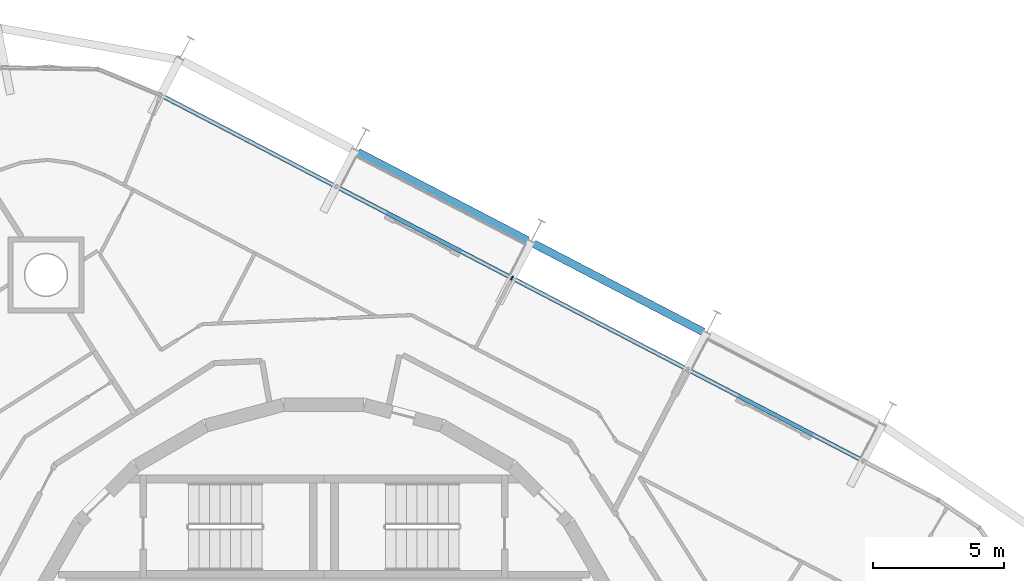
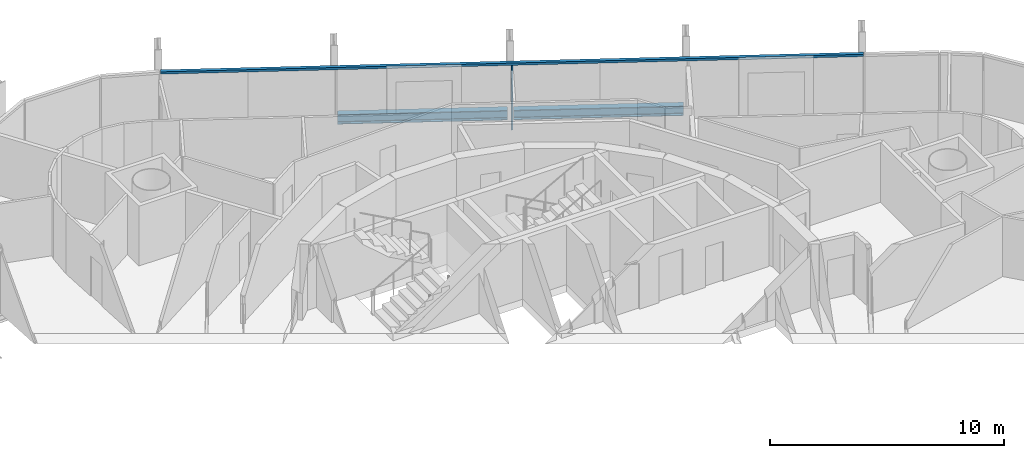
# One storey, part 7 of 18: 2 beams, 2 members, 1 element without a shape of its own.
"""IFC4 building model written with IfcOpenShell, lengths in metres."""

from ifc_helpers import new_model, si_unit, direction, frame, origin, origin_2d, place, context, subcontext, project, spatial, rectangle, i_section, extrude, material, layer, layer_set, material_profile, profile_set, type_object, element, aggregate, save


model = new_model("IFC4")

# Units and contexts
model_context = context("Model", 3, precision=1e-05, world=origin(), true_north=direction((0.0, 1.0)))
body_context = subcontext(model_context, "Body", "Model", "MODEL_VIEW")
ifc_project = project(units=[si_unit("LENGTHUNIT", "METRE"), si_unit("AREAUNIT", "SQUARE_METRE"), si_unit("VOLUMEUNIT", "CUBIC_METRE"), si_unit("PLANEANGLEUNIT", "RADIAN"), si_unit("MASSUNIT", "GRAM", prefix="KILO")], contexts=[model_context])

# Site, building, storey
site_placement = place(None, origin())
site = spatial("IfcSite", under=ifc_project, at=site_placement, CompositionType="ELEMENT")
building_placement = place(site_placement, origin())
building = spatial("IfcBuilding", under=site, at=building_placement, Name="Spindle Arch Residences", CompositionType="ELEMENT")
storey_placement = place(building_placement, frame((0.0, 0.0, 230.199951171875)))
storey = spatial("IfcBuildingStorey", under=building, at=storey_placement, Name="L58", CompositionType="ELEMENT", Elevation=230.199951171875)

# Curtain wall, members
ifc_material_1 = material(Name="Aluminium bronze unitised frame with tinted glass", Category="aluminium")
ifc_layer = layer(ifc_material_1, 0.159912109375)
ifc_layer_set = layer_set([ifc_layer], Name="CW-C typical residential unitised wall")
curtain_wall_type = type_object("IfcCurtainWallType", Name="CW-C typical residential unitised wall", PredefinedType="NOTDEFINED", material=ifc_layer_set)
curtain_wall_placement = place(storey_placement, origin())
curtain_wall = element("IfcCurtainWall", 1, at=curtain_wall_placement, inside=storey, type_object=curtain_wall_type, Name="CW-C L58 run 2", PredefinedType="NOTDEFINED")
ifc_material_2 = material(Name="Aluminium bronze anodised mullion", Category="aluminium")
ifc_material_profile_1 = material_profile(ifc_material_2, rectangle(XDim=0.159912109375, YDim=0.06005859375, at=origin_2d()), Name="MU 60x160")
ifc_profile_set_1 = profile_set([ifc_material_profile_1], Name="Aluminium bronze anodised mullion")
member_type_1 = type_object("IfcMemberType", Name="Bronze mullion 60x160", PredefinedType="MULLION", material=ifc_profile_set_1)
member_1_placement = place(storey_placement, frame((7.15869140625, 16.4697265625, -0.3798828125), z_axis=(0.0, 0.0, 1.0), x_axis=(-0.461748613235, -0.887010833178, 0.0)))
member_1 = element("IfcMember", 2, at=member_1_placement, type_object=member_type_1, Name="CW-C mullion 07", PredefinedType="MULLION", context=body_context, shape_type="SweptSolid", body=[
    extrude(rectangle(XDim=0.159912109375, YDim=0.06005859375, at=origin_2d()), origin(), (0.0, 0.0, 1.0), 3.3798828125),
])
ifc_material_3 = material(Name="Aluminium bronze anodised transom", Category="aluminium")
ifc_material_profile_2 = material_profile(ifc_material_3, rectangle(XDim=0.159912109375, YDim=0.1201171875, at=origin_2d()), Name="TR 120x160")
ifc_profile_set_2 = profile_set([ifc_material_profile_2], Name="Aluminium bronze anodised transom")
member_type_2 = type_object("IfcMemberType", Name="Bronze transom 120x160", PredefinedType="USERDEFINED", material=ifc_profile_set_2)
member_2_placement = place(storey_placement, frame((20.49072265625, 9.529541015625, 3.06005859375), z_axis=(-0.887009936453, 0.461750335825, 0.0), x_axis=(-0.461750335825, -0.887009936453, 0.0)))
member_2 = element("IfcMember", 3, at=member_2_placement, type_object=member_type_2, Name="CW-C transom 00", ObjectType="TRANSOM", PredefinedType="USERDEFINED", context=body_context, shape_type="SweptSolid", body=[
    extrude(rectangle(XDim=0.159912109375, YDim=0.1201171875, at=origin_2d()), origin(), (0.0, 0.0, 1.0), 30.060302734375),
])
aggregate(curtain_wall, [member_2, member_1])

# Beams
ifc_material_4 = material(Name="Steel S460ML, intumescent coating R 120", Category="steel")
ifc_material_profile_3 = material_profile(ifc_material_4, i_section(OverallWidth=0.300048828125, OverallDepth=0.5, WebThickness=0.014404296875, FlangeThickness=0.028076171875, FilletRadius=0.027099609375, at=origin_2d()), Name="HEB 500")
ifc_profile_set_3 = profile_set([ifc_material_profile_3], Name="Steel S460ML, intumescent coating R 120")
beam_type = type_object("IfcBeamType", Name="Exoskeleton edge beam HEB 500", PredefinedType="BEAM", material=ifc_profile_set_3)
for number, where, z_axis, x_axis, name in (
    (4, (14.43359375, 14.418701171875, -0.6298828125), (-0.887007222688, 0.461755548857, 0.0), (-0.461755548857, -0.887007222688, 0.0), "Exoskeleton edge beam 7"),
    (5, (7.75439453125, 17.895751953125, -0.6298828125), (-0.887007222688, 0.461755548857, 0.0), (-0.461755548857, -0.887007222688, 0.0), "Exoskeleton edge beam 8"),
):
    element("IfcBeam", number, at=place(storey_placement, frame(where, z_axis=z_axis, x_axis=x_axis)), inside=storey, type_object=beam_type, Name=name, PredefinedType="BEAM", context=body_context, shape_type="SweptSolid", body=[
        extrude(i_section(OverallWidth=0.300048828125, OverallDepth=0.5, WebThickness=0.014404296875, FlangeThickness=0.028076171875, FilletRadius=0.027099609375, at=origin_2d()), origin(), (0.0, 0.0, 1.0), 7.27001953125),
    ])

save(model, "model.ifc")
